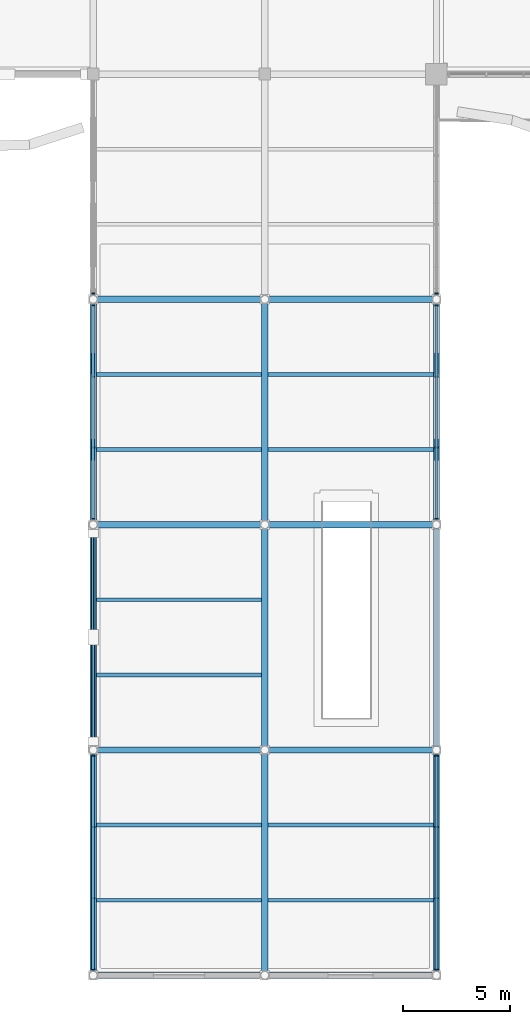
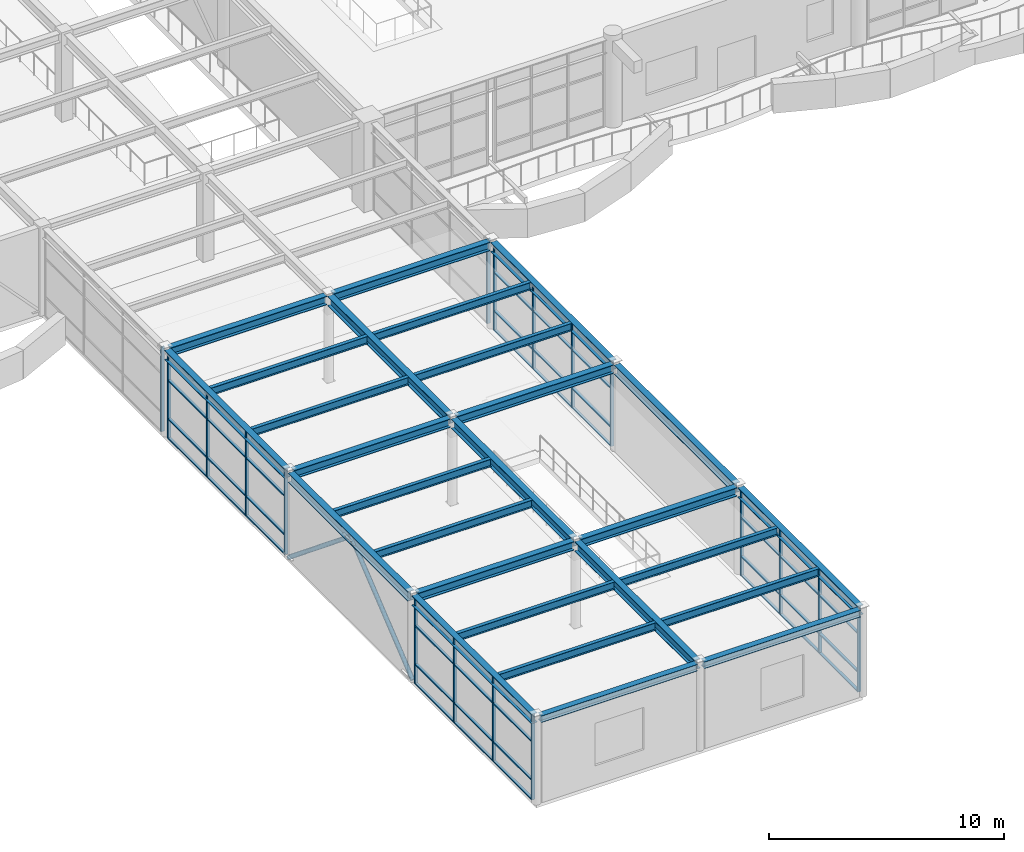
# One storey, part 10 of 72: 36 members, 27 beams, 6 elements without a shape of their own.
"""IFC4 building model written with IfcOpenShell, lengths in metres."""

from ifc_helpers import new_model, si_unit, direction, frame, origin, origin_2d, place, context, subcontext, project, spatial, rectangle, hollow_circle, i_section, extrude, material, layer, layer_set, material_profile, profile_set, type_object, element, aggregate, save


model = new_model("IFC4")

# Units and contexts
model_context = context("Model", 3, precision=1e-05, world=origin(), true_north=direction((0.0, 1.0)))
body_context = subcontext(model_context, "Body", "Model", "MODEL_VIEW")
ifc_project = project(units=[si_unit("LENGTHUNIT", "METRE"), si_unit("AREAUNIT", "SQUARE_METRE"), si_unit("VOLUMEUNIT", "CUBIC_METRE"), si_unit("PLANEANGLEUNIT", "RADIAN"), si_unit("MASSUNIT", "GRAM", prefix="KILO")], contexts=[model_context])

# Site, building, storey
site_placement = place(None, origin())
site = spatial("IfcSite", under=ifc_project, at=site_placement, CompositionType="ELEMENT")
building_placement = place(site_placement, origin())
building = spatial("IfcBuilding", under=site, at=building_placement, Name="Keelwater Ferry Terminal", CompositionType="ELEMENT")
storey_placement = place(building_placement, frame((0.0, 0.0, 5.39990234375)))
storey = spatial("IfcBuildingStorey", under=building, at=storey_placement, Name="L01", CompositionType="ELEMENT", Elevation=5.39990234375)

# Members
ifc_material_1 = material(Name="Steel S355", Category="steel")
ifc_material_profile_1 = material_profile(ifc_material_1, hollow_circle(Radius=0.109619140625, WallThickness=0.010009765625, at=origin_2d()), Name="CHS 219.1x10")
ifc_profile_set_1 = profile_set([ifc_material_profile_1], Name="Steel S355")
member_type_1 = type_object("IfcMemberType", Name="BR4 CHS 219.1x10", PredefinedType="BRACE", material=ifc_profile_set_1)
for number, where, z_axis, x_axis, name in (
    (1, (32.0, 10.5, 0.0), (0.0, 0.775796085922, 0.630983702696), (-1.0, 0.0, 0.0), "Structural Member MB-L01-0591"),
    (2, (32.0, 21.0, 0.0), (0.0, -0.775796085922, 0.630983702696), (1.0, 0.0, 0.0), "Structural Member MB-L01-0592"),
):
    element("IfcMember", number, at=place(storey_placement, frame(where, z_axis=z_axis, x_axis=x_axis)), inside=storey, type_object=member_type_1, Name=name, PredefinedType="BRACE", context=body_context, shape_type="SweptSolid", body=[
        extrude(hollow_circle(Radius=0.109619140625, WallThickness=0.010009765625, at=origin_2d()), origin(), (0.0, 0.0, 1.0), 6.767333984375),
    ])

# Curtain wall, members
ifc_material_2 = material(Name="Thermally broken unitised aluminium and triple glass", Category="aluminium")
ifc_layer_1 = layer(ifc_material_2, 0.179931640625)
ifc_layer_set_1 = layer_set([ifc_layer_1], Name="Thermally broken unitised aluminium and triple glass")
curtain_wall_type_1 = type_object("IfcCurtainWallType", Name="CW-09 Unitised Curtain Wall 9944x4400", PredefinedType="USERDEFINED", material=ifc_layer_set_1)
curtain_wall_1_placement = place(storey_placement, origin())
curtain_wall_1 = element("IfcCurtainWall", 3, at=curtain_wall_1_placement, inside=storey, type_object=curtain_wall_type_1, Name="Unitised Curtain Wall CW-L01-048", ObjectType="UNITISED CURTAIN WALL", PredefinedType="USERDEFINED")
ifc_material_3 = material(Name="Aluminium mullion", Category="aluminium")
ifc_material_profile_2 = material_profile(ifc_material_3, rectangle(XDim=0.06005859375, YDim=0.14990234375, at=origin_2d()), Name="CWM-03")
ifc_profile_set_2 = profile_set([ifc_material_profile_2], Name="Aluminium mullion")
member_type_2 = type_object("IfcMemberType", Name="CWM-03 Curtain Mullion 60x150", PredefinedType="MULLION", material=ifc_profile_set_2)
member_1_placement = place(storey_placement, frame((32.0, 0.278076171875, 0.0), z_axis=(0.0, 0.0, 1.0), x_axis=(0.0, 1.0, 0.0)))
member_1 = element("IfcMember", 4, at=member_1_placement, type_object=member_type_2, Name="CW-L01-048 Mullion 1", PredefinedType="MULLION", context=body_context, shape_type="SweptSolid", body=[
    extrude(rectangle(XDim=0.06005859375, YDim=0.14990234375, at=origin_2d()), origin(), (0.0, 0.0, 1.0), 4.400146484375),
])
member_2_placement = place(storey_placement, frame((32.0, 3.5927734375, 0.0), z_axis=(0.0, 0.0, 1.0), x_axis=(0.0, 1.0, 0.0)))
member_2 = element("IfcMember", 5, at=member_2_placement, type_object=member_type_2, Name="CW-L01-048 Mullion 2", PredefinedType="MULLION", context=body_context, shape_type="SweptSolid", body=[
    extrude(rectangle(XDim=0.06005859375, YDim=0.14990234375, at=origin_2d()), origin(), (0.0, 0.0, 1.0), 4.400146484375),
])
member_3_placement = place(storey_placement, frame((32.0, 6.9072265625, 0.0), z_axis=(0.0, 0.0, 1.0), x_axis=(0.0, 1.0, 0.0)))
member_3 = element("IfcMember", 6, at=member_3_placement, type_object=member_type_2, Name="CW-L01-048 Mullion 3", PredefinedType="MULLION", context=body_context, shape_type="SweptSolid", body=[
    extrude(rectangle(XDim=0.06005859375, YDim=0.14990234375, at=origin_2d()), origin(), (0.0, 0.0, 1.0), 4.400146484375),
])
member_4_placement = place(storey_placement, frame((32.0, 10.221923828125, 0.0), z_axis=(0.0, 0.0, 1.0), x_axis=(0.0, 1.0, 0.0)))
member_4 = element("IfcMember", 7, at=member_4_placement, type_object=member_type_2, Name="CW-L01-048 Mullion 4", PredefinedType="MULLION", context=body_context, shape_type="SweptSolid", body=[
    extrude(rectangle(XDim=0.06005859375, YDim=0.14990234375, at=origin_2d()), origin(), (0.0, 0.0, 1.0), 4.400146484375),
])

curtain_wall_2_placement = place(storey_placement, origin())
curtain_wall_2 = element("IfcCurtainWall", 8, at=curtain_wall_2_placement, inside=storey, type_object=curtain_wall_type_1, Name="Unitised Curtain Wall CW-L01-050", ObjectType="UNITISED CURTAIN WALL", PredefinedType="USERDEFINED")
member_5_placement = place(storey_placement, frame((32.0, 21.278076171875, 0.0), z_axis=(0.0, 0.0, 1.0), x_axis=(0.0, 1.0, 0.0)))
member_5 = element("IfcMember", 9, at=member_5_placement, type_object=member_type_2, Name="CW-L01-050 Mullion 1", PredefinedType="MULLION", context=body_context, shape_type="SweptSolid", body=[
    extrude(rectangle(XDim=0.06005859375, YDim=0.14990234375, at=origin_2d()), origin(), (0.0, 0.0, 1.0), 4.400146484375),
])
member_6_placement = place(storey_placement, frame((32.0, 24.5927734375, 0.0), z_axis=(0.0, 0.0, 1.0), x_axis=(0.0, 1.0, 0.0)))
member_6 = element("IfcMember", 10, at=member_6_placement, type_object=member_type_2, Name="CW-L01-050 Mullion 2", PredefinedType="MULLION", context=body_context, shape_type="SweptSolid", body=[
    extrude(rectangle(XDim=0.06005859375, YDim=0.14990234375, at=origin_2d()), origin(), (0.0, 0.0, 1.0), 4.400146484375),
])
member_7_placement = place(storey_placement, frame((32.0, 27.9072265625, 0.0), z_axis=(0.0, 0.0, 1.0), x_axis=(0.0, 1.0, 0.0)))
member_7 = element("IfcMember", 11, at=member_7_placement, type_object=member_type_2, Name="CW-L01-050 Mullion 3", PredefinedType="MULLION", context=body_context, shape_type="SweptSolid", body=[
    extrude(rectangle(XDim=0.06005859375, YDim=0.14990234375, at=origin_2d()), origin(), (0.0, 0.0, 1.0), 4.400146484375),
])
member_8_placement = place(storey_placement, frame((32.0, 31.221923828125, 0.0), z_axis=(0.0, 0.0, 1.0), x_axis=(0.0, 1.0, 0.0)))
member_8 = element("IfcMember", 12, at=member_8_placement, type_object=member_type_2, Name="CW-L01-050 Mullion 4", PredefinedType="MULLION", context=body_context, shape_type="SweptSolid", body=[
    extrude(rectangle(XDim=0.06005859375, YDim=0.14990234375, at=origin_2d()), origin(), (0.0, 0.0, 1.0), 4.400146484375),
])

# Curtain wall, member
ifc_material_4 = material(Name="Thermally broken unitised aluminium and triple glass", Category="aluminium")
ifc_layer_2 = layer(ifc_material_4, 0.179931640625)
ifc_layer_set_2 = layer_set([ifc_layer_2], Name="Thermally broken unitised aluminium and triple glass")
curtain_wall_type_2 = type_object("IfcCurtainWallType", Name="CW-11 Unitised Curtain Wall 9872x4400", PredefinedType="USERDEFINED", material=ifc_layer_set_2)
curtain_wall_3_placement = place(storey_placement, origin())
curtain_wall_3 = element("IfcCurtainWall", 13, at=curtain_wall_3_placement, inside=storey, type_object=curtain_wall_type_2, Name="Unitised Curtain Wall CW-L01-052", ObjectType="UNITISED CURTAIN WALL", PredefinedType="USERDEFINED")
member_9_placement = place(storey_placement, frame((32.0, 31.778076171875, 0.0), z_axis=(0.0, 0.0, 1.0), x_axis=(0.0, 1.0, 0.0)))
member_9 = element("IfcMember", 14, at=member_9_placement, type_object=member_type_2, Name="CW-L01-052 Mullion 1", PredefinedType="MULLION", context=body_context, shape_type="SweptSolid", body=[
    extrude(rectangle(XDim=0.06005859375, YDim=0.14990234375, at=origin_2d()), origin(), (0.0, 0.0, 1.0), 4.400146484375),
])
aggregate(curtain_wall_3, [member_9])

# Curtain wall, members
curtain_wall_4_placement = place(storey_placement, origin())
curtain_wall_4 = element("IfcCurtainWall", 15, at=curtain_wall_4_placement, inside=storey, type_object=curtain_wall_type_1, Name="Unitised Curtain Wall CW-L01-054", ObjectType="UNITISED CURTAIN WALL", PredefinedType="USERDEFINED")
member_10_placement = place(storey_placement, frame((48.0, 0.278076171875, 0.0), z_axis=(0.0, 0.0, 1.0), x_axis=(0.0, 1.0, 0.0)))
member_10 = element("IfcMember", 16, at=member_10_placement, type_object=member_type_2, Name="CW-L01-054 Mullion 1", PredefinedType="MULLION", context=body_context, shape_type="SweptSolid", body=[
    extrude(rectangle(XDim=0.06005859375, YDim=0.14990234375, at=origin_2d()), origin(), (0.0, 0.0, 1.0), 4.400146484375),
])
member_11_placement = place(storey_placement, frame((48.0, 3.5927734375, 0.0), z_axis=(0.0, 0.0, 1.0), x_axis=(0.0, 1.0, 0.0)))
member_11 = element("IfcMember", 17, at=member_11_placement, type_object=member_type_2, Name="CW-L01-054 Mullion 2", PredefinedType="MULLION", context=body_context, shape_type="SweptSolid", body=[
    extrude(rectangle(XDim=0.06005859375, YDim=0.14990234375, at=origin_2d()), origin(), (0.0, 0.0, 1.0), 4.400146484375),
])
member_12_placement = place(storey_placement, frame((48.0, 6.9072265625, 0.0), z_axis=(0.0, 0.0, 1.0), x_axis=(0.0, 1.0, 0.0)))
member_12 = element("IfcMember", 18, at=member_12_placement, type_object=member_type_2, Name="CW-L01-054 Mullion 3", PredefinedType="MULLION", context=body_context, shape_type="SweptSolid", body=[
    extrude(rectangle(XDim=0.06005859375, YDim=0.14990234375, at=origin_2d()), origin(), (0.0, 0.0, 1.0), 4.400146484375),
])
member_13_placement = place(storey_placement, frame((48.0, 10.221923828125, 0.0), z_axis=(0.0, 0.0, 1.0), x_axis=(0.0, 1.0, 0.0)))
member_13 = element("IfcMember", 19, at=member_13_placement, type_object=member_type_2, Name="CW-L01-054 Mullion 4", PredefinedType="MULLION", context=body_context, shape_type="SweptSolid", body=[
    extrude(rectangle(XDim=0.06005859375, YDim=0.14990234375, at=origin_2d()), origin(), (0.0, 0.0, 1.0), 4.400146484375),
])

curtain_wall_5_placement = place(storey_placement, origin())
curtain_wall_5 = element("IfcCurtainWall", 20, at=curtain_wall_5_placement, inside=storey, type_object=curtain_wall_type_1, Name="Unitised Curtain Wall CW-L01-056", ObjectType="UNITISED CURTAIN WALL", PredefinedType="USERDEFINED")
member_14_placement = place(storey_placement, frame((48.0, 21.278076171875, 0.0), z_axis=(0.0, 0.0, 1.0), x_axis=(0.0, 1.0, 0.0)))
member_14 = element("IfcMember", 21, at=member_14_placement, type_object=member_type_2, Name="CW-L01-056 Mullion 1", PredefinedType="MULLION", context=body_context, shape_type="SweptSolid", body=[
    extrude(rectangle(XDim=0.06005859375, YDim=0.14990234375, at=origin_2d()), origin(), (0.0, 0.0, 1.0), 4.400146484375),
])
member_15_placement = place(storey_placement, frame((48.0, 24.5927734375, 0.0), z_axis=(0.0, 0.0, 1.0), x_axis=(0.0, 1.0, 0.0)))
member_15 = element("IfcMember", 22, at=member_15_placement, type_object=member_type_2, Name="CW-L01-056 Mullion 2", PredefinedType="MULLION", context=body_context, shape_type="SweptSolid", body=[
    extrude(rectangle(XDim=0.06005859375, YDim=0.14990234375, at=origin_2d()), origin(), (0.0, 0.0, 1.0), 4.400146484375),
])
member_16_placement = place(storey_placement, frame((48.0, 27.9072265625, 0.0), z_axis=(0.0, 0.0, 1.0), x_axis=(0.0, 1.0, 0.0)))
member_16 = element("IfcMember", 23, at=member_16_placement, type_object=member_type_2, Name="CW-L01-056 Mullion 3", PredefinedType="MULLION", context=body_context, shape_type="SweptSolid", body=[
    extrude(rectangle(XDim=0.06005859375, YDim=0.14990234375, at=origin_2d()), origin(), (0.0, 0.0, 1.0), 4.400146484375),
])
member_17_placement = place(storey_placement, frame((48.0, 31.221923828125, 0.0), z_axis=(0.0, 0.0, 1.0), x_axis=(0.0, 1.0, 0.0)))
member_17 = element("IfcMember", 24, at=member_17_placement, type_object=member_type_2, Name="CW-L01-056 Mullion 4", PredefinedType="MULLION", context=body_context, shape_type="SweptSolid", body=[
    extrude(rectangle(XDim=0.06005859375, YDim=0.14990234375, at=origin_2d()), origin(), (0.0, 0.0, 1.0), 4.400146484375),
])

# Curtain wall, member
ifc_material_5 = material(Name="Thermally broken unitised aluminium and triple glass", Category="aluminium")
ifc_layer_3 = layer(ifc_material_5, 0.179931640625)
ifc_layer_set_3 = layer_set([ifc_layer_3], Name="Thermally broken unitised aluminium and triple glass")
curtain_wall_type_3 = type_object("IfcCurtainWallType", Name="CW-13 Unitised Curtain Wall 9647x4400", PredefinedType="USERDEFINED", material=ifc_layer_set_3)
curtain_wall_6_placement = place(storey_placement, origin())
curtain_wall_6 = element("IfcCurtainWall", 25, at=curtain_wall_6_placement, inside=storey, type_object=curtain_wall_type_3, Name="Unitised Curtain Wall CW-L01-058", ObjectType="UNITISED CURTAIN WALL", PredefinedType="USERDEFINED")
member_18_placement = place(storey_placement, frame((48.0, 31.778076171875, 0.0), z_axis=(0.0, 0.0, 1.0), x_axis=(0.0, 1.0, 0.0)))
member_18 = element("IfcMember", 26, at=member_18_placement, type_object=member_type_2, Name="CW-L01-058 Mullion 1", PredefinedType="MULLION", context=body_context, shape_type="SweptSolid", body=[
    extrude(rectangle(XDim=0.06005859375, YDim=0.14990234375, at=origin_2d()), origin(), (0.0, 0.0, 1.0), 4.400146484375),
])
aggregate(curtain_wall_6, [member_18])

# Member
ifc_material_6 = material(Name="Aluminium mullion", Category="aluminium")
ifc_material_profile_3 = material_profile(ifc_material_6, rectangle(XDim=0.135009765625, YDim=0.06005859375, at=origin_2d()), Name="CWT-03")
ifc_profile_set_3 = profile_set([ifc_material_profile_3], Name="Aluminium mullion")
member_type_3 = type_object("IfcMemberType", Name="CWT-03 Curtain Transom 60x135", PredefinedType="USERDEFINED", material=ifc_profile_set_3)
member_19_placement = place(storey_placement, frame((32.0, 0.278076171875, 0.0), z_axis=(0.0, 1.0, 0.0), x_axis=(-1.0, 0.0, 0.0)))
member_19 = element("IfcMember", 27, at=member_19_placement, type_object=member_type_3, Name="CW-L01-048 Transom 1", ObjectType="TRANSOM", PredefinedType="USERDEFINED", context=body_context, shape_type="SweptSolid", body=[
    extrude(rectangle(XDim=0.135009765625, YDim=0.06005859375, at=origin_2d()), origin(), (0.0, 0.0, 1.0), 9.94384765625),
])

member_20_placement = place(storey_placement, frame((32.0, 0.278076171875, 1.0), z_axis=(0.0, 1.0, 0.0), x_axis=(-1.0, 0.0, 0.0)))
member_20 = element("IfcMember", 28, at=member_20_placement, type_object=member_type_3, Name="CW-L01-048 Transom 2", ObjectType="TRANSOM", PredefinedType="USERDEFINED", context=body_context, shape_type="SweptSolid", body=[
    extrude(rectangle(XDim=0.135009765625, YDim=0.06005859375, at=origin_2d()), origin(), (0.0, 0.0, 1.0), 9.94384765625),
])

member_21_placement = place(storey_placement, frame((32.0, 0.278076171875, 3.0), z_axis=(0.0, 1.0, 0.0), x_axis=(-1.0, 0.0, 0.0)))
member_21 = element("IfcMember", 29, at=member_21_placement, type_object=member_type_3, Name="CW-L01-048 Transom 3", ObjectType="TRANSOM", PredefinedType="USERDEFINED", context=body_context, shape_type="SweptSolid", body=[
    extrude(rectangle(XDim=0.135009765625, YDim=0.06005859375, at=origin_2d()), origin(), (0.0, 0.0, 1.0), 9.94384765625),
])

member_22_placement = place(storey_placement, frame((32.0, 0.278076171875, 4.400146484375), z_axis=(0.0, 1.0, 0.0), x_axis=(-1.0, 0.0, 0.0)))
member_22 = element("IfcMember", 30, at=member_22_placement, type_object=member_type_3, Name="CW-L01-048 Transom 4", ObjectType="TRANSOM", PredefinedType="USERDEFINED", context=body_context, shape_type="SweptSolid", body=[
    extrude(rectangle(XDim=0.135009765625, YDim=0.06005859375, at=origin_2d()), origin(), (0.0, 0.0, 1.0), 9.94384765625),
])

aggregate(curtain_wall_1, [member_1, member_2, member_3, member_4, member_19, member_20, member_21, member_22])

member_23_placement = place(storey_placement, frame((32.0, 21.278076171875, 0.0), z_axis=(0.0, 1.0, 0.0), x_axis=(-1.0, 0.0, 0.0)))
member_23 = element("IfcMember", 31, at=member_23_placement, type_object=member_type_3, Name="CW-L01-050 Transom 1", ObjectType="TRANSOM", PredefinedType="USERDEFINED", context=body_context, shape_type="SweptSolid", body=[
    extrude(rectangle(XDim=0.135009765625, YDim=0.06005859375, at=origin_2d()), origin(), (0.0, 0.0, 1.0), 9.94384765625),
])

member_24_placement = place(storey_placement, frame((32.0, 21.278076171875, 1.0), z_axis=(0.0, 1.0, 0.0), x_axis=(-1.0, 0.0, 0.0)))
member_24 = element("IfcMember", 32, at=member_24_placement, type_object=member_type_3, Name="CW-L01-050 Transom 2", ObjectType="TRANSOM", PredefinedType="USERDEFINED", context=body_context, shape_type="SweptSolid", body=[
    extrude(rectangle(XDim=0.135009765625, YDim=0.06005859375, at=origin_2d()), origin(), (0.0, 0.0, 1.0), 9.94384765625),
])

member_25_placement = place(storey_placement, frame((32.0, 21.278076171875, 3.0), z_axis=(0.0, 1.0, 0.0), x_axis=(-1.0, 0.0, 0.0)))
member_25 = element("IfcMember", 33, at=member_25_placement, type_object=member_type_3, Name="CW-L01-050 Transom 3", ObjectType="TRANSOM", PredefinedType="USERDEFINED", context=body_context, shape_type="SweptSolid", body=[
    extrude(rectangle(XDim=0.135009765625, YDim=0.06005859375, at=origin_2d()), origin(), (0.0, 0.0, 1.0), 9.94384765625),
])

member_26_placement = place(storey_placement, frame((32.0, 21.278076171875, 4.400146484375), z_axis=(0.0, 1.0, 0.0), x_axis=(-1.0, 0.0, 0.0)))
member_26 = element("IfcMember", 34, at=member_26_placement, type_object=member_type_3, Name="CW-L01-050 Transom 4", ObjectType="TRANSOM", PredefinedType="USERDEFINED", context=body_context, shape_type="SweptSolid", body=[
    extrude(rectangle(XDim=0.135009765625, YDim=0.06005859375, at=origin_2d()), origin(), (0.0, 0.0, 1.0), 9.94384765625),
])

aggregate(curtain_wall_2, [member_5, member_6, member_7, member_8, member_23, member_24, member_25, member_26])

member_27_placement = place(storey_placement, frame((48.0, 0.278076171875, 0.0), z_axis=(0.0, 1.0, 0.0), x_axis=(-1.0, 0.0, 0.0)))
member_27 = element("IfcMember", 35, at=member_27_placement, type_object=member_type_3, Name="CW-L01-054 Transom 1", ObjectType="TRANSOM", PredefinedType="USERDEFINED", context=body_context, shape_type="SweptSolid", body=[
    extrude(rectangle(XDim=0.135009765625, YDim=0.06005859375, at=origin_2d()), origin(), (0.0, 0.0, 1.0), 9.94384765625),
])

member_28_placement = place(storey_placement, frame((48.0, 0.278076171875, 1.0), z_axis=(0.0, 1.0, 0.0), x_axis=(-1.0, 0.0, 0.0)))
member_28 = element("IfcMember", 36, at=member_28_placement, type_object=member_type_3, Name="CW-L01-054 Transom 2", ObjectType="TRANSOM", PredefinedType="USERDEFINED", context=body_context, shape_type="SweptSolid", body=[
    extrude(rectangle(XDim=0.135009765625, YDim=0.06005859375, at=origin_2d()), origin(), (0.0, 0.0, 1.0), 9.94384765625),
])

member_29_placement = place(storey_placement, frame((48.0, 0.278076171875, 3.0), z_axis=(0.0, 1.0, 0.0), x_axis=(-1.0, 0.0, 0.0)))
member_29 = element("IfcMember", 37, at=member_29_placement, type_object=member_type_3, Name="CW-L01-054 Transom 3", ObjectType="TRANSOM", PredefinedType="USERDEFINED", context=body_context, shape_type="SweptSolid", body=[
    extrude(rectangle(XDim=0.135009765625, YDim=0.06005859375, at=origin_2d()), origin(), (0.0, 0.0, 1.0), 9.94384765625),
])

member_30_placement = place(storey_placement, frame((48.0, 0.278076171875, 4.400146484375), z_axis=(0.0, 1.0, 0.0), x_axis=(-1.0, 0.0, 0.0)))
member_30 = element("IfcMember", 38, at=member_30_placement, type_object=member_type_3, Name="CW-L01-054 Transom 4", ObjectType="TRANSOM", PredefinedType="USERDEFINED", context=body_context, shape_type="SweptSolid", body=[
    extrude(rectangle(XDim=0.135009765625, YDim=0.06005859375, at=origin_2d()), origin(), (0.0, 0.0, 1.0), 9.94384765625),
])

aggregate(curtain_wall_4, [member_10, member_11, member_12, member_13, member_27, member_28, member_29, member_30])

member_31_placement = place(storey_placement, frame((48.0, 21.278076171875, 0.0), z_axis=(0.0, 1.0, 0.0), x_axis=(-1.0, 0.0, 0.0)))
member_31 = element("IfcMember", 39, at=member_31_placement, type_object=member_type_3, Name="CW-L01-056 Transom 1", ObjectType="TRANSOM", PredefinedType="USERDEFINED", context=body_context, shape_type="SweptSolid", body=[
    extrude(rectangle(XDim=0.135009765625, YDim=0.06005859375, at=origin_2d()), origin(), (0.0, 0.0, 1.0), 9.94384765625),
])

member_32_placement = place(storey_placement, frame((48.0, 21.278076171875, 1.0), z_axis=(0.0, 1.0, 0.0), x_axis=(-1.0, 0.0, 0.0)))
member_32 = element("IfcMember", 40, at=member_32_placement, type_object=member_type_3, Name="CW-L01-056 Transom 2", ObjectType="TRANSOM", PredefinedType="USERDEFINED", context=body_context, shape_type="SweptSolid", body=[
    extrude(rectangle(XDim=0.135009765625, YDim=0.06005859375, at=origin_2d()), origin(), (0.0, 0.0, 1.0), 9.94384765625),
])

member_33_placement = place(storey_placement, frame((48.0, 21.278076171875, 3.0), z_axis=(0.0, 1.0, 0.0), x_axis=(-1.0, 0.0, 0.0)))
member_33 = element("IfcMember", 41, at=member_33_placement, type_object=member_type_3, Name="CW-L01-056 Transom 3", ObjectType="TRANSOM", PredefinedType="USERDEFINED", context=body_context, shape_type="SweptSolid", body=[
    extrude(rectangle(XDim=0.135009765625, YDim=0.06005859375, at=origin_2d()), origin(), (0.0, 0.0, 1.0), 9.94384765625),
])

member_34_placement = place(storey_placement, frame((48.0, 21.278076171875, 4.400146484375), z_axis=(0.0, 1.0, 0.0), x_axis=(-1.0, 0.0, 0.0)))
member_34 = element("IfcMember", 42, at=member_34_placement, type_object=member_type_3, Name="CW-L01-056 Transom 4", ObjectType="TRANSOM", PredefinedType="USERDEFINED", context=body_context, shape_type="SweptSolid", body=[
    extrude(rectangle(XDim=0.135009765625, YDim=0.06005859375, at=origin_2d()), origin(), (0.0, 0.0, 1.0), 9.94384765625),
])

aggregate(curtain_wall_5, [member_14, member_15, member_16, member_17, member_31, member_32, member_33, member_34])

# Beams
ifc_material_7 = material(Name="Steel S355", Category="steel")
ifc_material_profile_4 = material_profile(ifc_material_7, i_section(OverallWidth=0.300048828125, OverallDepth=0.5, WebThickness=0.014404296875, FlangeThickness=0.028076171875, at=origin_2d()), Name="HEB 500")
ifc_profile_set_4 = profile_set([ifc_material_profile_4], Name="Steel S355")
beam_type_1 = type_object("IfcBeamType", Name="G5 HEB 500", PredefinedType="BEAM", material=ifc_profile_set_4)
for number, where, z_axis, x_axis, name in (
    (43, (40.0, 0.1669921875, 4.27001953125), (0.0, 1.0, 0.0), (-1.0, 0.0, 0.0), "Beam BM-L01-0727"),
    (44, (40.0, 10.6669921875, 4.27001953125), (0.0, 1.0, 0.0), (-1.0, 0.0, 0.0), "Beam BM-L01-0728"),
    (45, (40.0, 21.1669921875, 4.27001953125), (0.0, 1.0, 0.0), (-1.0, 0.0, 0.0), "Beam BM-L01-0729"),
):
    element("IfcBeam", number, at=place(storey_placement, frame(where, z_axis=z_axis, x_axis=x_axis)), inside=storey, type_object=beam_type_1, Name=name, PredefinedType="BEAM", context=body_context, shape_type="SweptSolid", body=[
        extrude(i_section(OverallWidth=0.300048828125, OverallDepth=0.5, WebThickness=0.014404296875, FlangeThickness=0.028076171875, at=origin_2d()), origin(), (0.0, 0.0, 1.0), 10.166015625),
    ])
ifc_material_8 = material(Name="Steel S355", Category="steel")
ifc_material_profile_5 = material_profile(ifc_material_8, i_section(OverallWidth=0.300048828125, OverallDepth=0.5, WebThickness=0.014404296875, FlangeThickness=0.028076171875, at=origin_2d()), Name="HEB 500")
ifc_profile_set_5 = profile_set([ifc_material_profile_5], Name="Steel S355")
beam_type_2 = type_object("IfcBeamType", Name="G5E HEB 500", PredefinedType="BEAM", material=ifc_profile_set_5)
for number, where, z_axis, x_axis, name in (
    (46, (32.0, 0.1669921875, 4.27001953125), (0.0, 1.0, 0.0), (-1.0, 0.0, 0.0), "Beam BM-L01-0719"),
    (47, (32.0, 10.6669921875, 4.27001953125), (0.0, 1.0, 0.0), (-1.0, 0.0, 0.0), "Beam BM-L01-0720"),
    (48, (32.0, 21.1669921875, 4.27001953125), (0.0, 1.0, 0.0), (-1.0, 0.0, 0.0), "Beam BM-L01-0721"),
    (49, (48.0, 0.1669921875, 4.27001953125), (0.0, 1.0, 0.0), (-1.0, 0.0, 0.0), "Beam BM-L01-0735"),
    (50, (48.0, 10.6669921875, 4.27001953125), (0.0, 1.0, 0.0), (-1.0, 0.0, 0.0), "Beam BM-L01-0736"),
    (51, (48.0, 21.1669921875, 4.27001953125), (0.0, 1.0, 0.0), (-1.0, 0.0, 0.0), "Beam BM-L01-0737"),
):
    element("IfcBeam", number, at=place(storey_placement, frame(where, z_axis=z_axis, x_axis=x_axis)), inside=storey, type_object=beam_type_2, Name=name, PredefinedType="BEAM", context=body_context, shape_type="SweptSolid", body=[
        extrude(i_section(OverallWidth=0.300048828125, OverallDepth=0.5, WebThickness=0.014404296875, FlangeThickness=0.028076171875, at=origin_2d()), origin(), (0.0, 0.0, 1.0), 10.166015625),
    ])
ifc_material_9 = material(Name="Steel S355", Category="steel")
ifc_material_profile_6 = material_profile(ifc_material_9, i_section(OverallWidth=0.300048828125, OverallDepth=0.449951171875, WebThickness=0.013916015625, FlangeThickness=0.02587890625, at=origin_2d()), Name="HEB 450")
ifc_profile_set_6 = profile_set([ifc_material_profile_6], Name="Steel S355")
beam_type_3 = type_object("IfcBeamType", Name="G6 HEB 450", PredefinedType="BEAM", material=ifc_profile_set_6)
for number, where, z_axis, x_axis, name in (
    (52, (32.1669921875, 10.5, 4.295166015625), (1.0, 0.0, 0.0), (0.0, 1.0, 0.0), "Beam BM-L01-0609"),
    (53, (40.1669921875, 10.5, 4.295166015625), (1.0, 0.0, 0.0), (0.0, 1.0, 0.0), "Beam BM-L01-0610"),
    (54, (32.1669921875, 21.0, 4.295166015625), (1.0, 0.0, 0.0), (0.0, 1.0, 0.0), "Beam BM-L01-0613"),
    (55, (40.1669921875, 21.0, 4.295166015625), (1.0, 0.0, 0.0), (0.0, 1.0, 0.0), "Beam BM-L01-0614"),
    (56, (32.1669921875, 31.5, 4.295166015625), (1.0, 0.0, 0.0), (0.0, 1.0, 0.0), "Beam BM-L01-0617"),
    (57, (40.1669921875, 31.5, 4.295166015625), (1.0, 0.0, 0.0), (0.0, 1.0, 0.0), "Beam BM-L01-0618"),
):
    element("IfcBeam", number, at=place(storey_placement, frame(where, z_axis=z_axis, x_axis=x_axis)), inside=storey, type_object=beam_type_3, Name=name, PredefinedType="BEAM", context=body_context, shape_type="SweptSolid", body=[
        extrude(i_section(OverallWidth=0.300048828125, OverallDepth=0.449951171875, WebThickness=0.013916015625, FlangeThickness=0.02587890625, at=origin_2d()), origin(), (0.0, 0.0, 1.0), 7.666015625),
    ])
ifc_material_10 = material(Name="Steel S355", Category="steel")
ifc_material_profile_7 = material_profile(ifc_material_10, i_section(OverallWidth=0.179931640625, OverallDepth=0.39990234375, WebThickness=0.008544921875, FlangeThickness=0.013427734375, at=origin_2d()), Name="IPE 400")
ifc_profile_set_7 = profile_set([ifc_material_profile_7], Name="Steel S355")
beam_type_4 = type_object("IfcBeamType", Name="J5 IPE 400", PredefinedType="JOIST", material=ifc_profile_set_7)
for number, where, z_axis, x_axis, name in (
    (58, (32.14990234375, 3.5, 4.320068359375), (1.0, 0.0, 0.0), (0.0, 1.0, 0.0), "Beam BM-L01-0825"),
    (59, (32.14990234375, 7.0, 4.320068359375), (1.0, 0.0, 0.0), (0.0, 1.0, 0.0), "Beam BM-L01-0826"),
    (60, (32.14990234375, 14.0, 4.320068359375), (1.0, 0.0, 0.0), (0.0, 1.0, 0.0), "Beam BM-L01-0827"),
    (61, (32.14990234375, 17.5, 4.320068359375), (1.0, 0.0, 0.0), (0.0, 1.0, 0.0), "Beam BM-L01-0828"),
    (62, (32.14990234375, 24.5, 4.320068359375), (1.0, 0.0, 0.0), (0.0, 1.0, 0.0), "Beam BM-L01-0829"),
    (63, (32.14990234375, 28.0, 4.320068359375), (1.0, 0.0, 0.0), (0.0, 1.0, 0.0), "Beam BM-L01-0830"),
    (64, (40.14990234375, 3.5, 4.320068359375), (1.0, 0.0, 0.0), (0.0, 1.0, 0.0), "Beam BM-L01-0839"),
    (65, (40.14990234375, 7.0, 4.320068359375), (1.0, 0.0, 0.0), (0.0, 1.0, 0.0), "Beam BM-L01-0840"),
    (66, (40.14990234375, 24.5, 4.320068359375), (1.0, 0.0, 0.0), (0.0, 1.0, 0.0), "Beam BM-L01-0841"),
    (67, (40.14990234375, 28.0, 4.320068359375), (1.0, 0.0, 0.0), (0.0, 1.0, 0.0), "Beam BM-L01-0842"),
):
    element("IfcBeam", number, at=place(storey_placement, frame(where, z_axis=z_axis, x_axis=x_axis)), inside=storey, type_object=beam_type_4, Name=name, PredefinedType="JOIST", context=body_context, shape_type="SweptSolid", body=[
        extrude(i_section(OverallWidth=0.179931640625, OverallDepth=0.39990234375, WebThickness=0.008544921875, FlangeThickness=0.013427734375, at=origin_2d()), origin(), (0.0, 0.0, 1.0), 7.7001953125),
    ])
ifc_material_11 = material(Name="Steel S355", Category="steel")
ifc_material_profile_8 = material_profile(ifc_material_11, i_section(OverallWidth=0.300048828125, OverallDepth=0.35009765625, WebThickness=0.010009765625, FlangeThickness=0.017578125, at=origin_2d()), Name="HEA 360")
ifc_profile_set_8 = profile_set([ifc_material_profile_8], Name="Steel S355")
beam_type_5 = type_object("IfcBeamType", Name="SP1E HEA 360", PredefinedType="SPANDREL", material=ifc_profile_set_8)
for number, where, z_axis, x_axis, name in (
    (68, (32.1669921875, 0.0, 4.34521484375), (1.0, 0.0, 0.0), (0.0, 1.0, 0.0), "Beam BM-L01-0605"),
    (69, (40.1669921875, 0.0, 4.34521484375), (1.0, 0.0, 0.0), (0.0, 1.0, 0.0), "Beam BM-L01-0606"),
):
    element("IfcBeam", number, at=place(storey_placement, frame(where, z_axis=z_axis, x_axis=x_axis)), inside=storey, type_object=beam_type_5, Name=name, PredefinedType="SPANDREL", context=body_context, shape_type="SweptSolid", body=[
        extrude(i_section(OverallWidth=0.300048828125, OverallDepth=0.35009765625, WebThickness=0.010009765625, FlangeThickness=0.017578125, at=origin_2d()), origin(), (0.0, 0.0, 1.0), 7.666015625),
    ])

save(model, "model.ifc")
